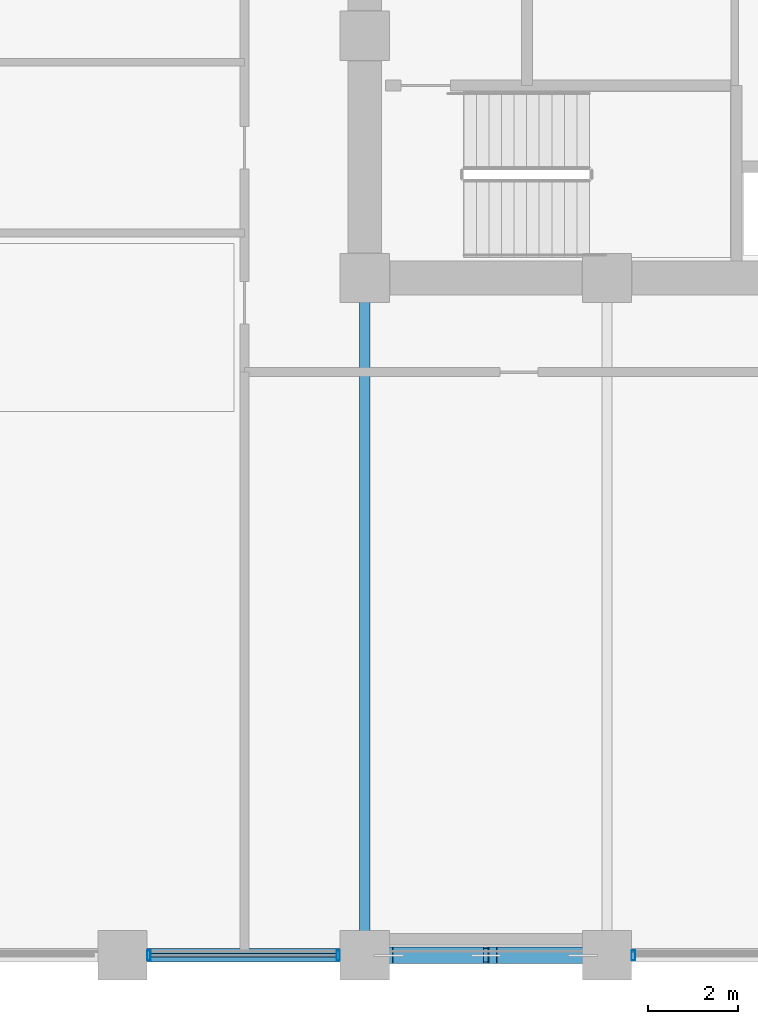
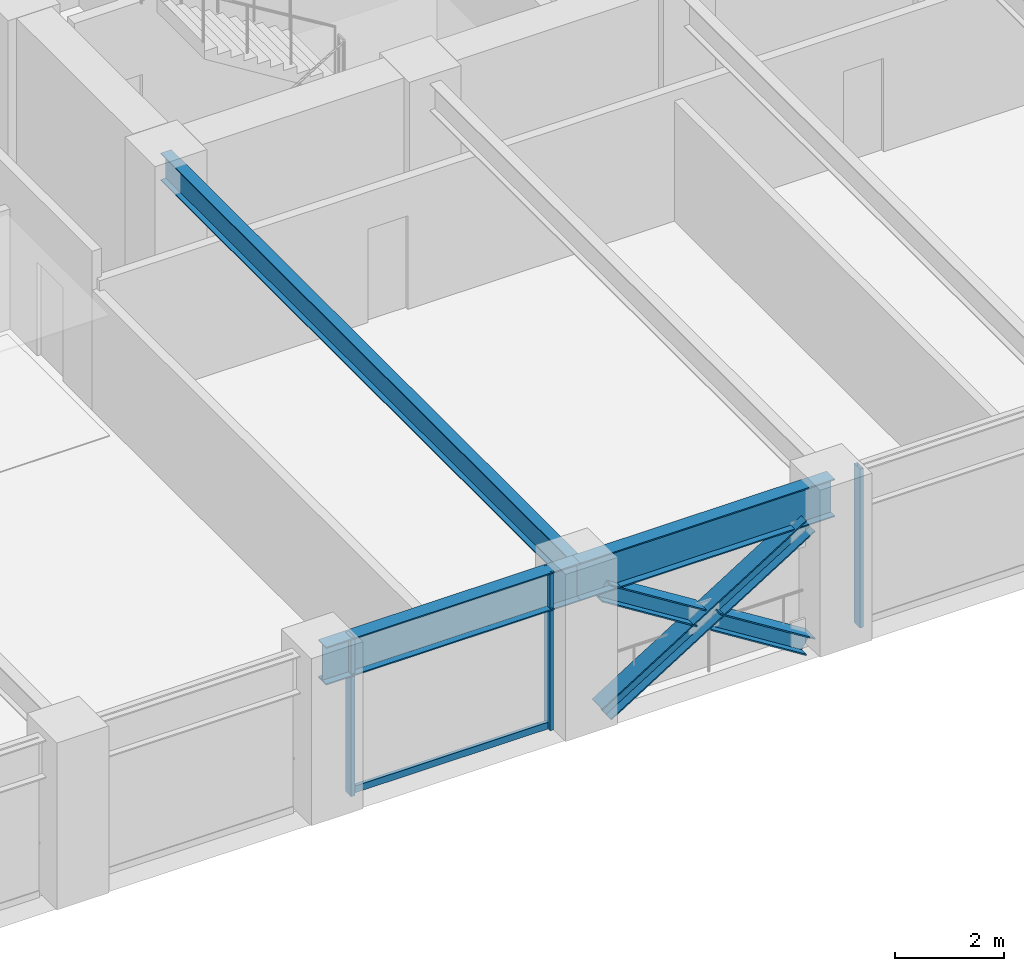
# One storey, part 5 of 30: 7 members, 3 beams, 2 elements without a shape of their own.
"""IFC4 building model written with IfcOpenShell, lengths in metres."""

from ifc_helpers import new_model, si_unit, direction, frame, origin, origin_2d, place, context, subcontext, project, spatial, hollow_rectangle, i_section, extrude, material, layer, layer_set, material_profile, profile_set, type_object, element, aggregate, save


model = new_model("IFC4")

# Units and contexts
model_context = context("Model", 3, precision=1e-05, world=origin(), true_north=direction((0.0, 1.0)))
body_context = subcontext(model_context, "Body", "Model", "MODEL_VIEW")
ifc_project = project(units=[si_unit("LENGTHUNIT", "METRE"), si_unit("AREAUNIT", "SQUARE_METRE"), si_unit("VOLUMEUNIT", "CUBIC_METRE"), si_unit("PLANEANGLEUNIT", "RADIAN"), si_unit("MASSUNIT", "GRAM", prefix="KILO")], contexts=[model_context])

# Site, building, storey
site_placement = place(None, origin())
site = spatial("IfcSite", under=ifc_project, at=site_placement, CompositionType="ELEMENT")
building_placement = place(site_placement, origin())
building = spatial("IfcBuilding", under=site, at=building_placement, Name="Surkhivell Harbour Commons", CompositionType="ELEMENT")
storey_placement = place(building_placement, frame((0.0, 0.0, 83.25)))
storey = spatial("IfcBuildingStorey", under=building, at=storey_placement, Name="L21", CompositionType="ELEMENT", Elevation=83.25)

# Beams
ifc_material_1 = material(Name="Steel S355", Category="steel")
ifc_material_profile_1 = material_profile(ifc_material_1, i_section(OverallWidth=0.22998046875, OverallDepth=0.616943359375, WebThickness=0.01318359375, FlangeThickness=0.022216796875, at=origin_2d()), Name="UB610x229x140")
ifc_profile_set_1 = profile_set([ifc_material_profile_1], Name="Steel S355")
beam_type_1 = type_object("IfcBeamType", Name="BM-GRD-610B", PredefinedType="BEAM", material=ifc_profile_set_1)
beam_1_placement = place(storey_placement, frame((-10.800048828125, -25.89990234375, 3.261474609375), z_axis=(0.0, 1.0, 0.0), x_axis=(-1.0, 0.0, 0.0)))
element("IfcBeam", 1, at=beam_1_placement, inside=storey, type_object=beam_type_1, Name="L21 Floor Girder (-10.8,-25.9)", PredefinedType="BEAM", context=body_context, shape_type="SweptSolid", body=[
    extrude(i_section(OverallWidth=0.22998046875, OverallDepth=0.616943359375, WebThickness=0.01318359375, FlangeThickness=0.022216796875, at=origin_2d()), origin(), (0.0, 0.0, 1.0), 15.099853515625),
])
ifc_material_2 = material(Name="Steel S460", Category="steel")
ifc_material_profile_2 = material_profile(ifc_material_2, i_section(OverallWidth=0.2939453125, OverallDepth=0.85107421875, WebThickness=0.01611328125, FlangeThickness=0.02685546875, at=origin_2d()), Name="UB838x292x226")
ifc_profile_set_2 = profile_set([ifc_material_profile_2], Name="Steel S460")
beam_type_2 = type_object("IfcBeamType", Name="BM-SPN-838", PredefinedType="SPANDREL", material=ifc_profile_set_2)
beam_2_placement = place(storey_placement, frame((-16.199951171875, -25.89990234375, 3.14453125), z_axis=(1.0, 0.0, 0.0), x_axis=(0.0, 1.0, 0.0)))
element("IfcBeam", 2, at=beam_2_placement, inside=storey, type_object=beam_type_2, Name="L21 Tube Spandrel (-16.2,-25.9)", PredefinedType="SPANDREL", context=body_context, shape_type="SweptSolid", body=[
    extrude(i_section(OverallWidth=0.2939453125, OverallDepth=0.85107421875, WebThickness=0.01611328125, FlangeThickness=0.02685546875, at=origin_2d()), origin(), (0.0, 0.0, 1.0), 5.39990234375),
])
beam_3_placement = place(storey_placement, frame((-10.800048828125, -25.89990234375, 3.14453125), z_axis=(1.0, 0.0, 0.0), x_axis=(0.0, 1.0, 0.0)))
element("IfcBeam", 3, at=beam_3_placement, inside=storey, type_object=beam_type_2, Name="L21 Tube Spandrel (-10.8,-25.9)", PredefinedType="SPANDREL", context=body_context, shape_type="SweptSolid", body=[
    extrude(i_section(OverallWidth=0.2939453125, OverallDepth=0.85107421875, WebThickness=0.01611328125, FlangeThickness=0.02685546875, at=origin_2d()), origin(), (0.0, 0.0, 1.0), 5.400146484375),
])

# Curtain wall, members
ifc_material_3 = material(Name="Anodised pale-metal aluminium and insulated glazing", Category="aluminium")
ifc_layer = layer(ifc_material_3, 0.205078125)
ifc_layer_set = layer_set([ifc_layer], Name="Anodised pale-metal aluminium and insulated glazing")
curtain_wall_type = type_object("IfcCurtainWallType", Name="CW-SYS-Z2", PredefinedType="NOTDEFINED", material=ifc_layer_set)
curtain_wall_1_placement = place(storey_placement, origin())
curtain_wall_1 = element("IfcCurtainWall", 4, at=curtain_wall_1_placement, inside=storey, type_object=curtain_wall_type, Name="L21 Curtain Wall CW-L21-E00S1", PredefinedType="NOTDEFINED")
ifc_material_4 = material(Name="Anodised pale-metal aluminium alloy 6063-T6", Category="aluminium")
ifc_material_profile_3 = material_profile(ifc_material_4, hollow_rectangle(XDim=0.074951171875, YDim=0.219970703125, WallThickness=0.00390625, at=origin_2d()), Name="ALU-MULL-75x220")
ifc_profile_set_3 = profile_set([ifc_material_profile_3], Name="Anodised pale-metal aluminium alloy 6063-T6")
member_type_1 = type_object("IfcMemberType", Name="CWM-220", PredefinedType="MULLION", material=ifc_profile_set_3)
member_1_placement = place(storey_placement, frame((-15.610595703125, -25.89990234375, 0.0), z_axis=(0.0, 0.0, 1.0), x_axis=(1.0, 0.0, 0.0)))
member_1 = element("IfcMember", 5, at=member_1_placement, type_object=member_type_1, Name="CW-Z2 mullion 3", PredefinedType="MULLION", context=body_context, shape_type="SweptSolid", body=[
    extrude(hollow_rectangle(XDim=0.074951171875, YDim=0.219970703125, WallThickness=0.00390625, at=origin_2d()), origin(), (0.0, 0.0, 1.0), 3.570068359375),
])
member_2_placement = place(storey_placement, frame((-11.389404296875, -25.89990234375, 0.0), z_axis=(0.0, 0.0, 1.0), x_axis=(1.0, 0.0, 0.0)))
member_2 = element("IfcMember", 6, at=member_2_placement, type_object=member_type_1, Name="CW-Z2 mullion 4", PredefinedType="MULLION", context=body_context, shape_type="SweptSolid", body=[
    extrude(hollow_rectangle(XDim=0.074951171875, YDim=0.219970703125, WallThickness=0.00390625, at=origin_2d()), origin(), (0.0, 0.0, 1.0), 3.570068359375),
])

# Curtain wall, member
curtain_wall_2_placement = place(storey_placement, origin())
curtain_wall_2 = element("IfcCurtainWall", 7, at=curtain_wall_2_placement, inside=storey, type_object=curtain_wall_type, Name="L21 Curtain Wall CW-L21-E00S2", PredefinedType="NOTDEFINED")
member_3_placement = place(storey_placement, frame((-4.810546875, -25.89990234375, 0.0), z_axis=(0.0, 0.0, 1.0), x_axis=(1.0, 0.0, 0.0)))
member_3 = element("IfcMember", 8, at=member_3_placement, type_object=member_type_1, Name="CW-Z2 mullion 1", PredefinedType="MULLION", context=body_context, shape_type="SweptSolid", body=[
    extrude(hollow_rectangle(XDim=0.074951171875, YDim=0.219970703125, WallThickness=0.00390625, at=origin_2d()), origin(), (0.0, 0.0, 1.0), 3.570068359375),
])
aggregate(curtain_wall_2, [member_3])

# Member
ifc_material_profile_4 = material_profile(ifc_material_4, hollow_rectangle(XDim=0.074951171875, YDim=0.14990234375, WallThickness=0.00341796875, at=origin_2d()), Name="ALU-TRAN-75x150")
ifc_profile_set_4 = profile_set([ifc_material_profile_4], Name="Anodised pale-metal aluminium alloy 6063-T6")
member_type_2 = type_object("IfcMemberType", Name="CWT-150", PredefinedType="USERDEFINED", material=ifc_profile_set_4)
member_4_placement = place(storey_placement, frame((-15.572998046875, -25.89990234375, 0.074951171875), z_axis=(1.0, 0.0, 0.0), x_axis=(0.0, 1.0, 0.0)))
member_4 = element("IfcMember", 9, at=member_4_placement, type_object=member_type_2, Name="CW-Z2 transom 3.1", ObjectType="TRANSOM", PredefinedType="USERDEFINED", context=body_context, shape_type="SweptSolid", body=[
    extrude(hollow_rectangle(XDim=0.074951171875, YDim=0.14990234375, WallThickness=0.00341796875, at=origin_2d()), origin(), (0.0, 0.0, 1.0), 4.14599609375),
])

aggregate(curtain_wall_1, [member_1, member_2, member_4])

# Members
ifc_material_profile_5 = material_profile(ifc_material_2, i_section(OverallWidth=0.375, OverallDepth=0.375, WebThickness=0.0166015625, FlangeThickness=0.027099609375, at=origin_2d()), Name="UC356x368x202")
ifc_profile_set_5 = profile_set([ifc_material_profile_5], Name="Steel S460")
member_type_3 = type_object("IfcMemberType", Name="MEM-BRC-UC356", PredefinedType="BRACE", material=ifc_profile_set_5)
member_5_placement = place(storey_placement, frame((-10.264892578125, -25.89990234375, 0.008056640625), z_axis=(0.847232535652, 0.0, 0.53122220448), x_axis=(0.0, 1.0, 0.0)))
element("IfcMember", 10, at=member_5_placement, inside=storey, type_object=member_type_3, Name="L21 Perimeter Mega-Brace MB- 07", PredefinedType="BRACE", context=body_context, shape_type="SweptSolid", body=[
    extrude(i_section(OverallWidth=0.375, OverallDepth=0.375, WebThickness=0.0166015625, FlangeThickness=0.027099609375, at=origin_2d()), origin(), (0.0, 0.0, 1.0), 5.110595703125),
])
member_6_placement = place(storey_placement, frame((-5.93505859375, -25.89990234375, 0.008056640625), z_axis=(-0.847206308526, 0.0, 0.53126403115), x_axis=(0.0, -1.0, 0.0)))
element("IfcMember", 11, at=member_6_placement, inside=storey, type_object=member_type_3, Name="L21 Perimeter Mega-Brace MB- 08", PredefinedType="BRACE", context=body_context, shape_type="SweptSolid", body=[
    extrude(i_section(OverallWidth=0.375, OverallDepth=0.375, WebThickness=0.0166015625, FlangeThickness=0.027099609375, at=origin_2d()), origin(), (0.0, 0.0, 1.0), 2.37548828125),
])
member_7_placement = place(storey_placement, frame((-8.25244140625, -25.89990234375, 1.461181640625), z_axis=(-0.84725256761, 0.0, 0.53119025469), x_axis=(0.0, -1.0, 0.0)))
element("IfcMember", 12, at=member_7_placement, inside=storey, type_object=member_type_3, Name="L21 Perimeter Mega-Brace MB- 09", PredefinedType="BRACE", context=body_context, shape_type="SweptSolid", body=[
    extrude(i_section(OverallWidth=0.375, OverallDepth=0.375, WebThickness=0.0166015625, FlangeThickness=0.027099609375, at=origin_2d()), origin(), (0.0, 0.0, 1.0), 2.375244140625),
])

save(model, "model.ifc")
